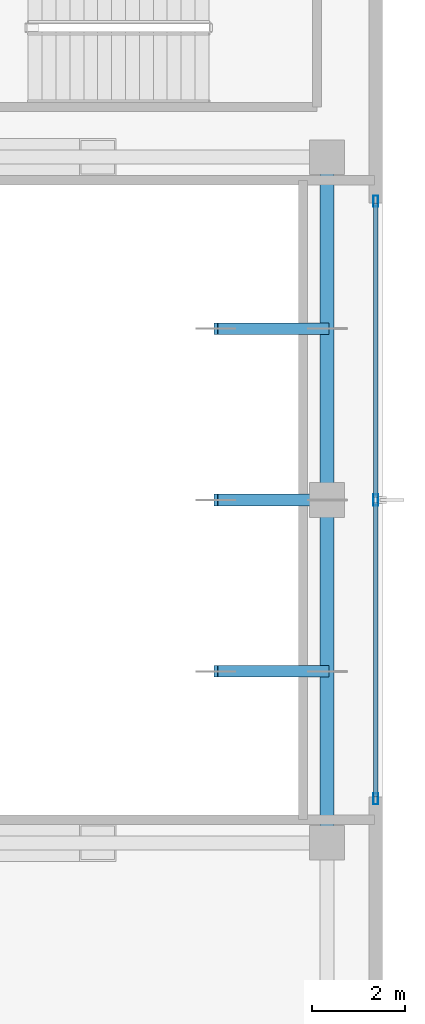
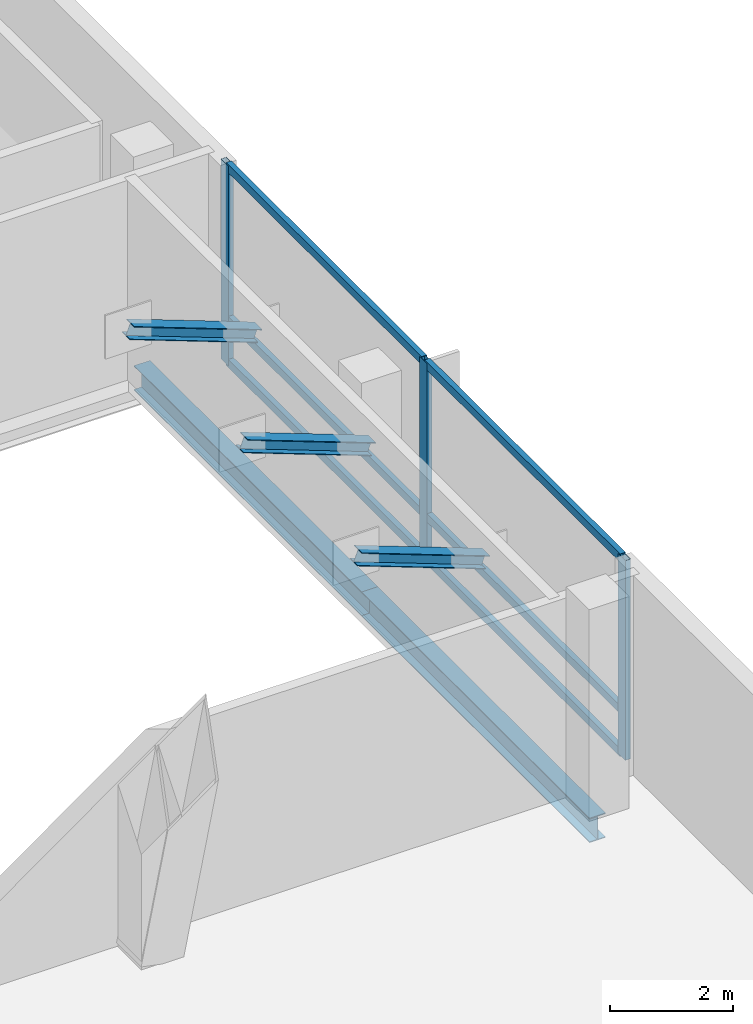
# One storey, part 8 of 23: 12 members, 2 beams, 1 element without a shape of its own.
"""IFC4 building model written with IfcOpenShell, lengths in metres."""

from ifc_helpers import new_model, si_unit, direction, frame, origin, origin_2d, place, context, subcontext, project, spatial, hollow_rectangle, i_section, extrude, material, layer, layer_set, material_profile, profile_set, type_object, element, aggregate, save


model = new_model("IFC4")

# Units and contexts
model_context = context("Model", 3, precision=1e-05, world=origin(), true_north=direction((0.0, 1.0)))
body_context = subcontext(model_context, "Body", "Model", "MODEL_VIEW")
ifc_project = project(units=[si_unit("LENGTHUNIT", "METRE"), si_unit("AREAUNIT", "SQUARE_METRE"), si_unit("VOLUMEUNIT", "CUBIC_METRE"), si_unit("PLANEANGLEUNIT", "RADIAN"), si_unit("MASSUNIT", "GRAM", prefix="KILO")], contexts=[model_context])

# Site, building, storey
site_placement = place(None, origin())
site = spatial("IfcSite", under=ifc_project, at=site_placement, CompositionType="ELEMENT")
building_placement = place(site_placement, origin())
building = spatial("IfcBuilding", under=site, at=building_placement, Name="Khorvyn Point Tower", CompositionType="ELEMENT")
storey_placement = place(building_placement, frame((0.0, 0.0, 9.0)))
storey = spatial("IfcBuildingStorey", under=building, at=storey_placement, Name="L03", CompositionType="ELEMENT", Elevation=9.0)

# Curtain wall, members
ifc_material_1 = material(Name="Anodised aluminium 6063-T6 and laminated Low-E glass", Category="aluminium")
ifc_layer = layer(ifc_material_1, 0.18994140625)
ifc_layer_set = layer_set([ifc_layer], Name="Stick-Built Low-E Podium Curtain Wall CW-SYS-01")
curtain_wall_type = type_object("IfcCurtainWallType", Name="Stick-Built Low-E Podium Curtain Wall CW-SYS-01", PredefinedType="NOTDEFINED", material=ifc_layer_set)
curtain_wall_placement = place(storey_placement, origin())
curtain_wall = element("IfcCurtainWall", 1, at=curtain_wall_placement, inside=storey, type_object=curtain_wall_type, Name="Curtain Wall", PredefinedType="NOTDEFINED")
ifc_material_2 = material(Name="Anodised aluminium 6063-T6", Category="aluminium")
ifc_material_profile_1 = material_profile(ifc_material_2, hollow_rectangle(XDim=0.10009765625, YDim=0.239990234375, WallThickness=0.0048828125, at=origin_2d()))
ifc_profile_set_1 = profile_set([ifc_material_profile_1], Name="Anodised aluminium 6063-T6 ALU-MUL-100x240")
member_type_1 = type_object("IfcMemberType", Name="Anodised Aluminium 6063-T6 Mullion ALU-MUL-100x240", PredefinedType="MULLION", material=ifc_profile_set_1)
member_1_placement = place(storey_placement, frame((33.449951171875, -6.449951171875, 0.0), z_axis=(0.0, 0.0, 1.0), x_axis=(-1.0, 0.0, 0.0)))
member_1 = element("IfcMember", 2, at=member_1_placement, type_object=member_type_1, Name="Transom", PredefinedType="MULLION", context=body_context, shape_type="SweptSolid", body=[
    extrude(hollow_rectangle(XDim=0.10009765625, YDim=0.239990234375, WallThickness=0.0048828125, at=origin_2d()), origin(), (0.0, 0.0, 1.0), 3.9599609375),
])
member_2_placement = place(storey_placement, frame((33.449951171875, 0.0, 0.0), z_axis=(0.0, 0.0, 1.0), x_axis=(-1.0, 0.0, 0.0)))
member_2 = element("IfcMember", 3, at=member_2_placement, type_object=member_type_1, Name="Transom", PredefinedType="MULLION", context=body_context, shape_type="SweptSolid", body=[
    extrude(hollow_rectangle(XDim=0.10009765625, YDim=0.239990234375, WallThickness=0.0048828125, at=origin_2d()), origin(), (0.0, 0.0, 1.0), 3.9599609375),
])
member_3_placement = place(storey_placement, frame((33.449951171875, 6.449951171875, 0.0), z_axis=(0.0, 0.0, 1.0), x_axis=(-1.0, 0.0, 0.0)))
member_3 = element("IfcMember", 4, at=member_3_placement, type_object=member_type_1, Name="Transom", PredefinedType="MULLION", context=body_context, shape_type="SweptSolid", body=[
    extrude(hollow_rectangle(XDim=0.10009765625, YDim=0.239990234375, WallThickness=0.0048828125, at=origin_2d()), origin(), (0.0, 0.0, 1.0), 3.9599609375),
])
ifc_material_profile_2 = material_profile(ifc_material_2, hollow_rectangle(XDim=0.10009765625, YDim=0.159912109375, WallThickness=0.00439453125, at=origin_2d()))
ifc_profile_set_2 = profile_set([ifc_material_profile_2], Name="Anodised aluminium 6063-T6 ALU-TRN-100x160")
member_type_2 = type_object("IfcMemberType", Name="Anodised Aluminium 6063-T6 Transom ALU-TRN-100x160", PredefinedType="USERDEFINED", material=ifc_profile_set_2)
member_4_placement = place(storey_placement, frame((33.449951171875, -6.39990234375, 0.050048828125), z_axis=(0.0, 1.0, 0.0), x_axis=(-1.0, 0.0, 0.0)))
member_4 = element("IfcMember", 5, at=member_4_placement, type_object=member_type_2, Name="Transom", ObjectType="TRANSOM", PredefinedType="USERDEFINED", context=body_context, shape_type="SweptSolid", body=[
    extrude(hollow_rectangle(XDim=0.10009765625, YDim=0.159912109375, WallThickness=0.00439453125, at=origin_2d()), origin(), (0.0, 0.0, 1.0), 6.349853515625),
])
member_5_placement = place(storey_placement, frame((33.449951171875, -6.39990234375, 0.89990234375), z_axis=(0.0, 1.0, 0.0), x_axis=(-1.0, 0.0, 0.0)))
member_5 = element("IfcMember", 6, at=member_5_placement, type_object=member_type_2, Name="Transom", ObjectType="TRANSOM", PredefinedType="USERDEFINED", context=body_context, shape_type="SweptSolid", body=[
    extrude(hollow_rectangle(XDim=0.10009765625, YDim=0.159912109375, WallThickness=0.00439453125, at=origin_2d()), origin(), (0.0, 0.0, 1.0), 6.349853515625),
])
member_6_placement = place(storey_placement, frame((33.449951171875, -6.39990234375, 3.909912109375), z_axis=(0.0, 1.0, 0.0), x_axis=(-1.0, 0.0, 0.0)))
member_6 = element("IfcMember", 7, at=member_6_placement, type_object=member_type_2, Name="Transom", ObjectType="TRANSOM", PredefinedType="USERDEFINED", context=body_context, shape_type="SweptSolid", body=[
    extrude(hollow_rectangle(XDim=0.10009765625, YDim=0.159912109375, WallThickness=0.00439453125, at=origin_2d()), origin(), (0.0, 0.0, 1.0), 6.349853515625),
])
member_7_placement = place(storey_placement, frame((33.449951171875, 0.050048828125, 0.050048828125), z_axis=(0.0, 1.0, 0.0), x_axis=(-1.0, 0.0, 0.0)))
member_7 = element("IfcMember", 8, at=member_7_placement, type_object=member_type_2, Name="Transom", ObjectType="TRANSOM", PredefinedType="USERDEFINED", context=body_context, shape_type="SweptSolid", body=[
    extrude(hollow_rectangle(XDim=0.10009765625, YDim=0.159912109375, WallThickness=0.00439453125, at=origin_2d()), origin(), (0.0, 0.0, 1.0), 6.349853515625),
])
member_8_placement = place(storey_placement, frame((33.449951171875, 0.050048828125, 0.89990234375), z_axis=(0.0, 1.0, 0.0), x_axis=(-1.0, 0.0, 0.0)))
member_8 = element("IfcMember", 9, at=member_8_placement, type_object=member_type_2, Name="Transom", ObjectType="TRANSOM", PredefinedType="USERDEFINED", context=body_context, shape_type="SweptSolid", body=[
    extrude(hollow_rectangle(XDim=0.10009765625, YDim=0.159912109375, WallThickness=0.00439453125, at=origin_2d()), origin(), (0.0, 0.0, 1.0), 6.349853515625),
])
member_9_placement = place(storey_placement, frame((33.449951171875, 0.050048828125, 3.909912109375), z_axis=(0.0, 1.0, 0.0), x_axis=(-1.0, 0.0, 0.0)))
member_9 = element("IfcMember", 10, at=member_9_placement, type_object=member_type_2, Name="Transom", ObjectType="TRANSOM", PredefinedType="USERDEFINED", context=body_context, shape_type="SweptSolid", body=[
    extrude(hollow_rectangle(XDim=0.10009765625, YDim=0.159912109375, WallThickness=0.00439453125, at=origin_2d()), origin(), (0.0, 0.0, 1.0), 6.349853515625),
])
aggregate(curtain_wall, [member_1, member_2, member_3, member_4, member_5, member_6, member_7, member_8, member_9])

# Beams
ifc_material_3 = material(Name="Steel S355", Category="steel")
ifc_material_profile_3 = material_profile(ifc_material_3, i_section(OverallWidth=0.300048828125, OverallDepth=0.488037109375, WebThickness=0.010986328125, FlangeThickness=0.01806640625, at=origin_2d()))
ifc_profile_set_3 = profile_set([ifc_material_profile_3], Name="Steel S355 H488x300x11x18")
beam_type = type_object("IfcBeamType", Name="Steel S355 Spandrel H488x300x11x18", PredefinedType="SPANDREL", material=ifc_profile_set_3)
for number, where, z_axis, x_axis, name in (
    (11, (32.39990234375, -7.39990234375, -0.48388671875), (0.0, 1.0, 0.0), (-1.0, 0.0, 0.0), "Beam"),
    (12, (32.39990234375, 0.0, -0.48388671875), (0.0, 1.0, 0.0), (-1.0, 0.0, 0.0), "Beam"),
):
    element("IfcBeam", number, at=place(storey_placement, frame(where, z_axis=z_axis, x_axis=x_axis)), inside=storey, type_object=beam_type, Name=name, PredefinedType="SPANDREL", context=body_context, shape_type="SweptSolid", body=[
        extrude(i_section(OverallWidth=0.300048828125, OverallDepth=0.488037109375, WebThickness=0.010986328125, FlangeThickness=0.01806640625, at=origin_2d()), origin(), (0.0, 0.0, 1.0), 7.39990234375),
    ])

# Members
ifc_material_profile_4 = material_profile(ifc_material_3, i_section(OverallWidth=0.25, OverallDepth=0.25, WebThickness=0.009033203125, FlangeThickness=0.013916015625, at=origin_2d()))
ifc_profile_set_4 = profile_set([ifc_material_profile_4], Name="Steel S355 H250x250x9x14")
member_type_3 = type_object("IfcMemberType", Name="Steel S355 Truss Brace H250x250x9x14", PredefinedType="BRACE", material=ifc_profile_set_4)
for number, where, z_axis, x_axis, name in (
    (13, (32.39990234375, -3.699951171875, 2.610107421875), (-0.93633700635, 0.0, 0.351102564131), (0.0, -1.0, 0.0), "L03 Gym Roof Knee Brace E1"),
    (14, (32.39990234375, 0.0, 2.610107421875), (-0.93633700635, 0.0, 0.351102564131), (0.0, -1.0, 0.0), "L03 Gym Roof Knee Brace E2"),
    (15, (32.39990234375, 3.699951171875, 2.610107421875), (-0.93633700635, 0.0, 0.351102564131), (0.0, -1.0, 0.0), "L03 Gym Roof Knee Brace E3"),
):
    element("IfcMember", number, at=place(storey_placement, frame(where, z_axis=z_axis, x_axis=x_axis)), inside=storey, type_object=member_type_3, Name=name, PredefinedType="BRACE", context=body_context, shape_type="SweptSolid", body=[
        extrude(i_section(OverallWidth=0.25, OverallDepth=0.25, WebThickness=0.009033203125, FlangeThickness=0.013916015625, at=origin_2d()), origin(), (0.0, 0.0, 1.0), 2.56298828125),
    ])

save(model, "model.ifc")
